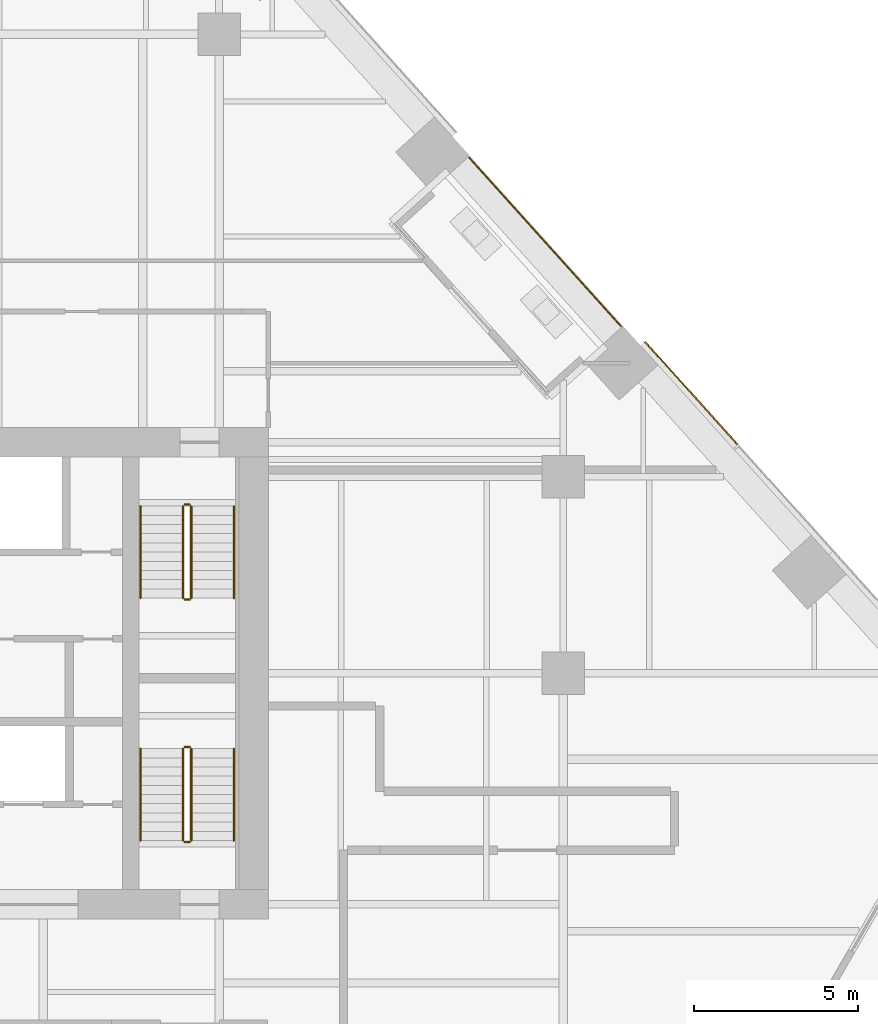
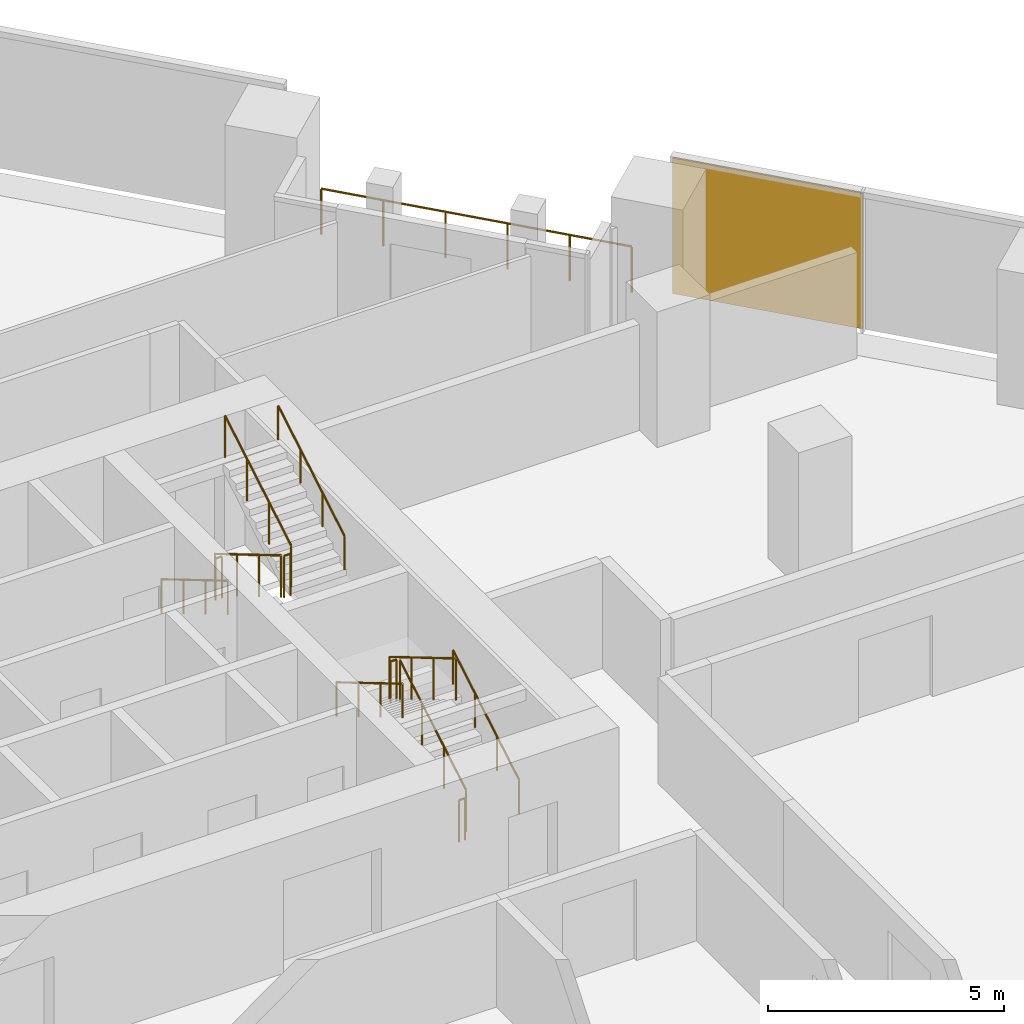
# One storey, part 26 of 28: 13 railings, 1 covering, 1 element without a shape of its own.
"""IFC4 building model written with IfcOpenShell, lengths in metres."""

from ifc_helpers import new_model, si_unit, direction, frame, origin, origin_2d, place, context, subcontext, project, spatial, rectangle, circle, extrude, material, layer, layer_set, type_object, element, aggregate, save


model = new_model("IFC4")

# Units and contexts
model_context = context("Model", 3, precision=1e-05, world=origin(), true_north=direction((0.0, 1.0)))
body_context = subcontext(model_context, "Body", "Model", "MODEL_VIEW")
ifc_project = project(units=[si_unit("LENGTHUNIT", "METRE"), si_unit("AREAUNIT", "SQUARE_METRE"), si_unit("VOLUMEUNIT", "CUBIC_METRE"), si_unit("PLANEANGLEUNIT", "RADIAN"), si_unit("MASSUNIT", "GRAM", prefix="KILO")], contexts=[model_context])

# Site, building, storey
site_placement = place(None, origin())
site = spatial("IfcSite", under=ifc_project, at=site_placement, CompositionType="ELEMENT")
building_placement = place(site_placement, origin())
building = spatial("IfcBuilding", under=site, at=building_placement, Name="Isthmus Gate Tower", CompositionType="ELEMENT")
storey_placement = place(building_placement, frame((0.0, 0.0, 84.300048828125)))
storey = spatial("IfcBuildingStorey", under=building, at=storey_placement, Name="L19", CompositionType="ELEMENT", Elevation=84.300048828125)

# Curtain wall, covering
ifc_material_1 = material(Name="Aluminium, pale champagne anodised", Category="aluminium")
ifc_layer_1 = layer(ifc_material_1, 0.199951171875)
ifc_layer_set_1 = layer_set([ifc_layer_1], Name="CW-1 UNITISED CURTAIN WALL 200 DEEP")
curtain_wall_type = type_object("IfcCurtainWallType", Name="CW-1 UNITISED CURTAIN WALL 200 DEEP", PredefinedType="NOTDEFINED", material=ifc_layer_set_1)
curtain_wall_placement = place(storey_placement, origin())
curtain_wall = element("IfcCurtainWall", 1, at=curtain_wall_placement, inside=storey, type_object=curtain_wall_type, Name="CW-1 NE L19", PredefinedType="NOTDEFINED")
ifc_material_2 = material(Name="Aluminium composite panel, pale champagne anodised", Category="aluminium")
ifc_layer_2 = layer(ifc_material_2, 0.0400390625)
ifc_layer_set_2 = layer_set([ifc_layer_2], Name="CW-1 PALE METAL PANEL 40")
covering_type = type_object("IfcCoveringType", Name="CW-1 PALE METAL PANEL 40", PredefinedType="CLADDING", material=ifc_layer_set_2)
covering_placement = place(storey_placement, frame((27.910400390625, 16.049560546875, 0.0), z_axis=(0.0, 0.0, 1.0), x_axis=(-0.669130606359, 0.743144825477, 0.0)))
covering = element("IfcCovering", 2, at=covering_placement, type_object=covering_type, Name="CW-1 pale metal panel", PredefinedType="CLADDING", context=body_context, shape_type="SweptSolid", body=[
    extrude(rectangle(XDim=4.234619140625, YDim=0.0400390625, at=origin_2d()), origin(), (0.0, 0.0, 1.0), 3.5),
])
aggregate(curtain_wall, [covering])

# Railings
ifc_material_3 = material(Name="Toughened laminated glass with stainless steel posts", Category="steel")
railing_type_1 = type_object("IfcRailingType", Name="GUARD 1200 FRAMELESS GLASS", PredefinedType="GUARDRAIL", material=ifc_material_3)
railing_1_placement = place(storey_placement, frame((25.7607421875, 18.09326171875, 0.0)))
element("IfcRailing", 3, at=railing_1_placement, inside=storey, type_object=railing_type_1, Name="LOGGIA GUARD", PredefinedType="GUARDRAIL", context=body_context, shape_type="SweptSolid", body=[
    extrude(circle(Radius=0.02490234375, at=origin_2d()), frame((0.0, 0.0, 1.1748046875), z_axis=(-0.669124793951, 0.743150058952, 0.0), x_axis=(-0.743150058952, -0.669124793951, 0.0)), (0.0, 0.0, 1.0), 6.909423828125),
    extrude(circle(Radius=0.02490234375, at=origin_2d()), origin(), (0.0, 0.0, 1.0), 1.14990234375),
    extrude(circle(Radius=0.02490234375, at=origin_2d()), frame((-0.924560546875, 1.02685546875, 0.0)), (0.0, 0.0, 1.0), 1.14990234375),
    extrude(circle(Radius=0.02490234375, at=origin_2d()), frame((-1.849365234375, 2.053955078125, 0.0)), (0.0, 0.0, 1.0), 1.14990234375),
    extrude(circle(Radius=0.02490234375, at=origin_2d()), frame((-2.77392578125, 3.080810546875, 0.0)), (0.0, 0.0, 1.0), 1.14990234375),
    extrude(circle(Radius=0.02490234375, at=origin_2d()), frame((-3.69873046875, 4.10791015625, 0.0)), (0.0, 0.0, 1.0), 1.14990234375),
    extrude(circle(Radius=0.02490234375, at=origin_2d()), frame((-4.623291015625, 5.134765625, 0.0)), (0.0, 0.0, 1.0), 1.14990234375),
])
ifc_material_4 = material(Name="Stainless steel balustrade", Category="steel")
railing_type_2 = type_object("IfcRailingType", Name="STAIR GUARD 1100", PredefinedType="GUARDRAIL", material=ifc_material_4)
railing_2_placement = place(storey_placement, frame((12.39990234375, 12.60009765625, 0.165771484375)))
element("IfcRailing", 4, at=railing_2_placement, inside=storey, type_object=railing_type_2, Name="L19 ST2 stair guard 1", PredefinedType="GUARDRAIL", context=body_context, shape_type="SweptSolid", body=[
    extrude(circle(Radius=0.02392578125, at=origin_2d()), frame((0.0, 0.0, 1.076171875), z_axis=(0.0, -0.860306154799, 0.50977771628), x_axis=(1.0, 0.0, 0.0)), (0.0, 0.0, 1.0), 3.254638671875),
    extrude(circle(Radius=0.02099609375, at=origin_2d()), origin(), (0.0, 0.0, 1.0), 1.052001953125),
    extrude(circle(Radius=0.02099609375, at=origin_2d()), frame((0.0, -0.933349609375, 0.552978515625)), (0.0, 0.0, 1.0), 1.052001953125),
    extrude(circle(Radius=0.02099609375, at=origin_2d()), frame((0.0, -1.86669921875, 1.106201171875)), (0.0, 0.0, 1.0), 1.052001953125),
    extrude(circle(Radius=0.02099609375, at=origin_2d()), frame((0.0, -2.800048828125, 1.6591796875)), (0.0, 0.0, 1.0), 1.052001953125),
])
railing_3_placement = place(storey_placement, frame((12.449951171875, 9.75, 1.824951171875)))
element("IfcRailing", 5, at=railing_3_placement, inside=storey, type_object=railing_type_2, Name="L19 ST2 stair guard 2", PredefinedType="GUARDRAIL", context=body_context, shape_type="SweptSolid", body=[
    extrude(circle(Radius=0.02392578125, at=origin_2d()), frame((0.0, 0.0, 1.076171875), z_axis=(1.0, 0.0, 0.0), x_axis=(0.0, 1.0, 0.0)), (0.0, 0.0, 1.0), 0.150146484375),
    extrude(circle(Radius=0.02099609375, at=origin_2d()), origin(), (0.0, 0.0, 1.0), 1.052001953125),
    extrude(circle(Radius=0.02099609375, at=origin_2d()), frame((0.150146484375, 0.0, 0.0)), (0.0, 0.0, 1.0), 1.052001953125),
])
railing_4_placement = place(storey_placement, frame((12.64990234375, 9.800048828125, 1.990966796875)))
element("IfcRailing", 6, at=railing_4_placement, inside=storey, type_object=railing_type_2, Name="L19 ST2 stair guard 3", PredefinedType="GUARDRAIL", context=body_context, shape_type="SweptSolid", body=[
    extrude(circle(Radius=0.02392578125, at=origin_2d()), frame((0.0, 0.0, 1.076171875), z_axis=(0.0, 0.860339051648, 0.50972219513), x_axis=(-1.0, 0.0, 0.0)), (0.0, 0.0, 1.0), 3.254638671875),
    extrude(circle(Radius=0.02099609375, at=origin_2d()), origin(), (0.0, 0.0, 1.0), 1.052001953125),
    extrude(circle(Radius=0.02099609375, at=origin_2d()), frame((0.0, 0.933349609375, 0.552978515625)), (0.0, 0.0, 1.0), 1.052001953125),
    extrude(circle(Radius=0.02099609375, at=origin_2d()), frame((0.0, 1.86669921875, 1.10595703125)), (0.0, 0.0, 1.0), 1.052001953125),
    extrude(circle(Radius=0.02099609375, at=origin_2d()), frame((0.0, 2.800048828125, 1.658935546875)), (0.0, 0.0, 1.0), 1.052001953125),
])
railing_5_placement = place(storey_placement, frame((12.449951171875, 12.64990234375, 0.0)))
element("IfcRailing", 7, at=railing_5_placement, inside=storey, type_object=railing_type_2, Name="L19 ST2 stair guard 4", PredefinedType="GUARDRAIL", context=body_context, shape_type="SweptSolid", body=[
    extrude(circle(Radius=0.02392578125, at=origin_2d()), frame((0.0, 0.0, 1.076171875), z_axis=(1.0, 0.0, 0.0), x_axis=(0.0, 1.0, 0.0)), (0.0, 0.0, 1.0), 0.150146484375),
    extrude(circle(Radius=0.02099609375, at=origin_2d()), origin(), (0.0, 0.0, 1.0), 1.052001953125),
    extrude(circle(Radius=0.02099609375, at=origin_2d()), frame((0.150146484375, 0.0, 0.0)), (0.0, 0.0, 1.0), 1.052001953125),
])
railing_6_placement = place(storey_placement, frame((12.64990234375, 2.39990234375, 0.165771484375)))
element("IfcRailing", 8, at=railing_6_placement, inside=storey, type_object=railing_type_2, Name="L19 ST8 stair guard 1", PredefinedType="GUARDRAIL", context=body_context, shape_type="SweptSolid", body=[
    extrude(circle(Radius=0.02392578125, at=origin_2d()), frame((0.0, 0.0, 1.076171875), z_axis=(0.0, 0.860306154799, 0.50977771628), x_axis=(-1.0, 0.0, 0.0)), (0.0, 0.0, 1.0), 3.254638671875),
    extrude(circle(Radius=0.02099609375, at=origin_2d()), origin(), (0.0, 0.0, 1.0), 1.052001953125),
    extrude(circle(Radius=0.02099609375, at=origin_2d()), frame((0.0, 0.933349609375, 0.552978515625)), (0.0, 0.0, 1.0), 1.052001953125),
    extrude(circle(Radius=0.02099609375, at=origin_2d()), frame((0.0, 1.86669921875, 1.106201171875)), (0.0, 0.0, 1.0), 1.052001953125),
    extrude(circle(Radius=0.02099609375, at=origin_2d()), frame((0.0, 2.800048828125, 1.6591796875)), (0.0, 0.0, 1.0), 1.052001953125),
])
railing_7_placement = place(storey_placement, frame((12.60009765625, 5.25, 1.824951171875)))
element("IfcRailing", 9, at=railing_7_placement, inside=storey, type_object=railing_type_2, Name="L19 ST8 stair guard 2", PredefinedType="GUARDRAIL", context=body_context, shape_type="SweptSolid", body=[
    extrude(circle(Radius=0.02392578125, at=origin_2d()), frame((0.0, 0.0, 1.076171875), z_axis=(-1.0, 0.0, 0.0), x_axis=(0.0, -1.0, 0.0)), (0.0, 0.0, 1.0), 0.150146484375),
    extrude(circle(Radius=0.02099609375, at=origin_2d()), origin(), (0.0, 0.0, 1.0), 1.052001953125),
    extrude(circle(Radius=0.02099609375, at=origin_2d()), frame((-0.150146484375, 0.0, 0.0)), (0.0, 0.0, 1.0), 1.052001953125),
])
railing_8_placement = place(storey_placement, frame((12.39990234375, 5.199951171875, 1.990966796875)))
element("IfcRailing", 10, at=railing_8_placement, inside=storey, type_object=railing_type_2, Name="L19 ST8 stair guard 3", PredefinedType="GUARDRAIL", context=body_context, shape_type="SweptSolid", body=[
    extrude(circle(Radius=0.02392578125, at=origin_2d()), frame((0.0, 0.0, 1.076171875), z_axis=(0.0, -0.860339051648, 0.50972219513), x_axis=(1.0, 0.0, 0.0)), (0.0, 0.0, 1.0), 3.254638671875),
    extrude(circle(Radius=0.02099609375, at=origin_2d()), origin(), (0.0, 0.0, 1.0), 1.052001953125),
    extrude(circle(Radius=0.02099609375, at=origin_2d()), frame((0.0, -0.933349609375, 0.552978515625)), (0.0, 0.0, 1.0), 1.052001953125),
    extrude(circle(Radius=0.02099609375, at=origin_2d()), frame((0.0, -1.86669921875, 1.10595703125)), (0.0, 0.0, 1.0), 1.052001953125),
    extrude(circle(Radius=0.02099609375, at=origin_2d()), frame((0.0, -2.800048828125, 1.658935546875)), (0.0, 0.0, 1.0), 1.052001953125),
])
railing_9_placement = place(storey_placement, frame((12.60009765625, 2.35009765625, 0.0)))
element("IfcRailing", 11, at=railing_9_placement, inside=storey, type_object=railing_type_2, Name="L19 ST8 stair guard 4", PredefinedType="GUARDRAIL", context=body_context, shape_type="SweptSolid", body=[
    extrude(circle(Radius=0.02392578125, at=origin_2d()), frame((0.0, 0.0, 1.076171875), z_axis=(-1.0, 0.0, 0.0), x_axis=(0.0, -1.0, 0.0)), (0.0, 0.0, 1.0), 0.150146484375),
    extrude(circle(Radius=0.02099609375, at=origin_2d()), origin(), (0.0, 0.0, 1.0), 1.052001953125),
    extrude(circle(Radius=0.02099609375, at=origin_2d()), frame((-0.150146484375, 0.0, 0.0)), (0.0, 0.0, 1.0), 1.052001953125),
])
ifc_material_5 = material(Name="Stainless steel handrail", Category="steel")
railing_type_3 = type_object("IfcRailingType", Name="STAIR HANDRAIL 900", PredefinedType="HANDRAIL", material=ifc_material_5)
railing_10_placement = place(storey_placement, frame((11.10009765625, 12.60009765625, 0.165771484375)))
element("IfcRailing", 12, at=railing_10_placement, inside=storey, type_object=railing_type_3, Name="L19 ST2 stair handrail 1", PredefinedType="HANDRAIL", context=body_context, shape_type="SweptSolid", body=[
    extrude(circle(Radius=0.02392578125, at=origin_2d()), frame((0.0, 0.0, 0.8759765625), z_axis=(0.0, -0.860306154799, 0.50977771628), x_axis=(1.0, 0.0, 0.0)), (0.0, 0.0, 1.0), 3.254638671875),
    extrude(circle(Radius=0.02099609375, at=origin_2d()), origin(), (0.0, 0.0, 1.0), 0.851806640625),
    extrude(circle(Radius=0.02099609375, at=origin_2d()), frame((0.0, -0.933349609375, 0.552978515625)), (0.0, 0.0, 1.0), 0.851806640625),
    extrude(circle(Radius=0.02099609375, at=origin_2d()), frame((0.0, -1.86669921875, 1.106201171875)), (0.0, 0.0, 1.0), 0.851806640625),
    extrude(circle(Radius=0.02099609375, at=origin_2d()), frame((0.0, -2.800048828125, 1.6591796875)), (0.0, 0.0, 1.0), 0.851806640625),
])
railing_11_placement = place(storey_placement, frame((13.949951171875, 9.800048828125, 1.990966796875)))
element("IfcRailing", 13, at=railing_11_placement, inside=storey, type_object=railing_type_3, Name="L19 ST2 stair handrail 2", PredefinedType="HANDRAIL", context=body_context, shape_type="SweptSolid", body=[
    extrude(circle(Radius=0.02392578125, at=origin_2d()), frame((0.0, 0.0, 0.8759765625), z_axis=(0.0, 0.860339051648, 0.50972219513), x_axis=(-1.0, 0.0, 0.0)), (0.0, 0.0, 1.0), 3.254638671875),
    extrude(circle(Radius=0.02099609375, at=origin_2d()), origin(), (0.0, 0.0, 1.0), 0.851806640625),
    extrude(circle(Radius=0.02099609375, at=origin_2d()), frame((0.0, 0.933349609375, 0.552978515625)), (0.0, 0.0, 1.0), 0.851806640625),
    extrude(circle(Radius=0.02099609375, at=origin_2d()), frame((0.0, 1.86669921875, 1.10595703125)), (0.0, 0.0, 1.0), 0.851806640625),
    extrude(circle(Radius=0.02099609375, at=origin_2d()), frame((0.0, 2.800048828125, 1.658935546875)), (0.0, 0.0, 1.0), 0.851806640625),
])
railing_12_placement = place(storey_placement, frame((13.949951171875, 2.39990234375, 0.165771484375)))
element("IfcRailing", 14, at=railing_12_placement, inside=storey, type_object=railing_type_3, Name="L19 ST8 stair handrail 1", PredefinedType="HANDRAIL", context=body_context, shape_type="SweptSolid", body=[
    extrude(circle(Radius=0.02392578125, at=origin_2d()), frame((0.0, 0.0, 0.8759765625), z_axis=(0.0, 0.860306154799, 0.50977771628), x_axis=(-1.0, 0.0, 0.0)), (0.0, 0.0, 1.0), 3.254638671875),
    extrude(circle(Radius=0.02099609375, at=origin_2d()), origin(), (0.0, 0.0, 1.0), 0.851806640625),
    extrude(circle(Radius=0.02099609375, at=origin_2d()), frame((0.0, 0.933349609375, 0.552978515625)), (0.0, 0.0, 1.0), 0.851806640625),
    extrude(circle(Radius=0.02099609375, at=origin_2d()), frame((0.0, 1.86669921875, 1.106201171875)), (0.0, 0.0, 1.0), 0.851806640625),
    extrude(circle(Radius=0.02099609375, at=origin_2d()), frame((0.0, 2.800048828125, 1.6591796875)), (0.0, 0.0, 1.0), 0.851806640625),
])
railing_13_placement = place(storey_placement, frame((11.10009765625, 5.199951171875, 1.990966796875)))
element("IfcRailing", 15, at=railing_13_placement, inside=storey, type_object=railing_type_3, Name="L19 ST8 stair handrail 2", PredefinedType="HANDRAIL", context=body_context, shape_type="SweptSolid", body=[
    extrude(circle(Radius=0.02392578125, at=origin_2d()), frame((0.0, 0.0, 0.8759765625), z_axis=(0.0, -0.860339051648, 0.50972219513), x_axis=(1.0, 0.0, 0.0)), (0.0, 0.0, 1.0), 3.254638671875),
    extrude(circle(Radius=0.02099609375, at=origin_2d()), origin(), (0.0, 0.0, 1.0), 0.851806640625),
    extrude(circle(Radius=0.02099609375, at=origin_2d()), frame((0.0, -0.933349609375, 0.552978515625)), (0.0, 0.0, 1.0), 0.851806640625),
    extrude(circle(Radius=0.02099609375, at=origin_2d()), frame((0.0, -1.86669921875, 1.10595703125)), (0.0, 0.0, 1.0), 0.851806640625),
    extrude(circle(Radius=0.02099609375, at=origin_2d()), frame((0.0, -2.800048828125, 1.658935546875)), (0.0, 0.0, 1.0), 0.851806640625),
])

save(model, "model.ifc")
